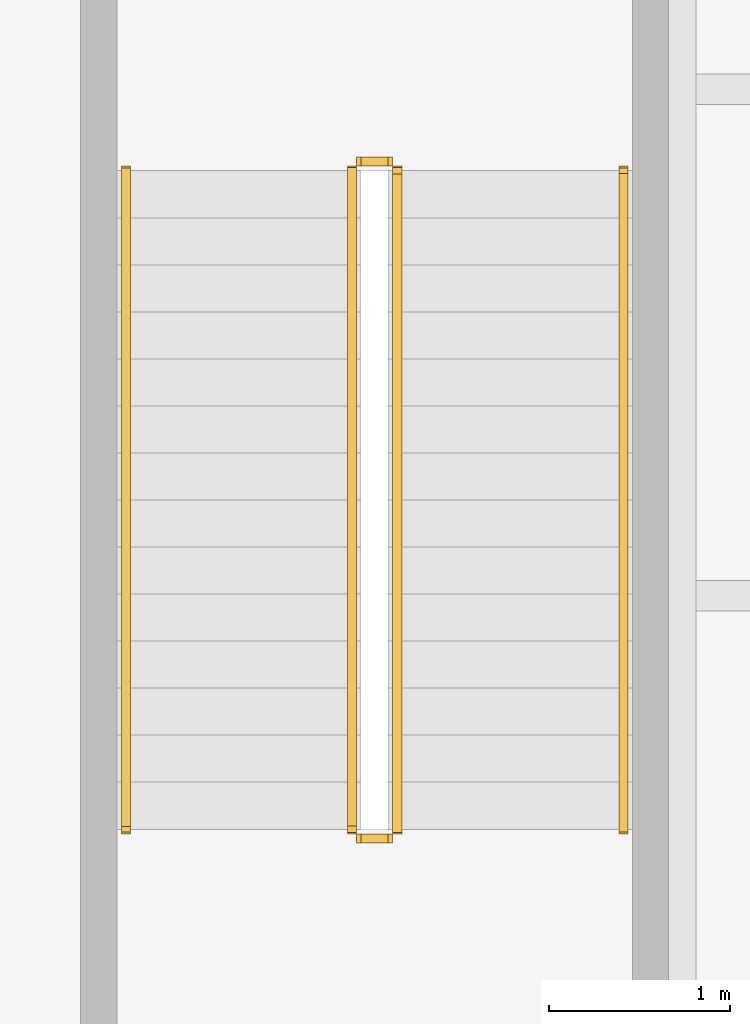
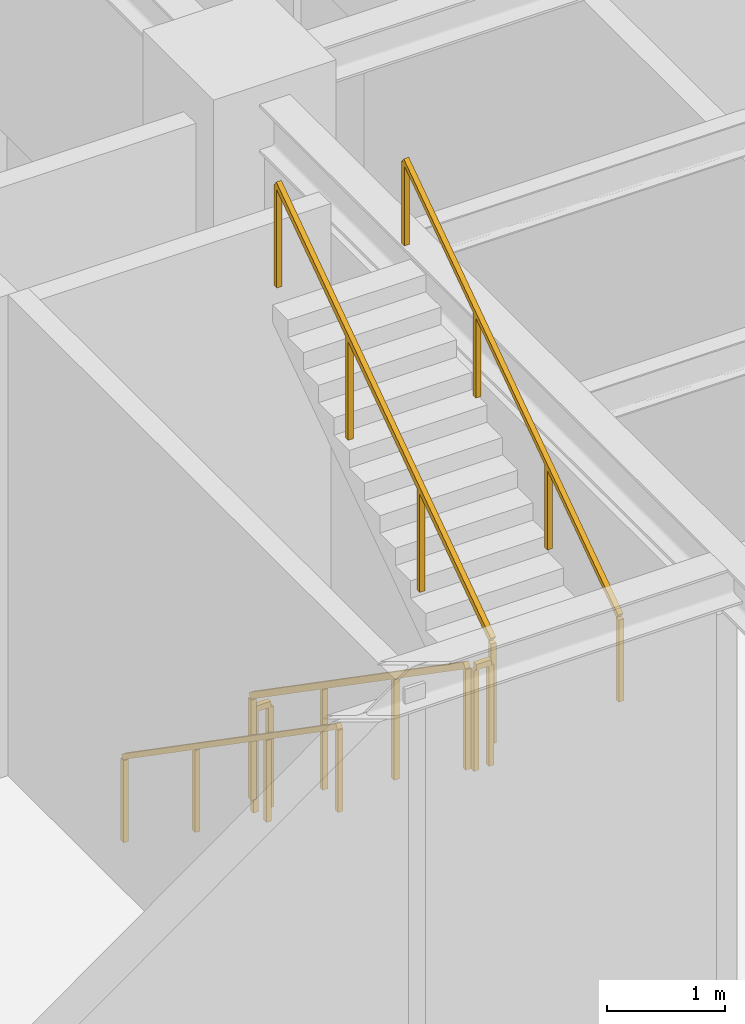
# One storey, part 31 of 36: 6 railings.
"""IFC4 building model written with IfcOpenShell, lengths in metres."""

from ifc_helpers import new_model, si_unit, direction, frame, origin, origin_2d, place, context, subcontext, project, spatial, rectangle, extrude, material, type_object, element, save


model = new_model("IFC4")

# Units and contexts
model_context = context("Model", 3, precision=1e-05, world=origin(), true_north=direction((0.0, 1.0)))
body_context = subcontext(model_context, "Body", "Model", "MODEL_VIEW")
ifc_project = project(units=[si_unit("LENGTHUNIT", "METRE"), si_unit("AREAUNIT", "SQUARE_METRE"), si_unit("VOLUMEUNIT", "CUBIC_METRE"), si_unit("PLANEANGLEUNIT", "RADIAN"), si_unit("MASSUNIT", "GRAM", prefix="KILO")], contexts=[model_context])

# Site, building, storey
site_placement = place(None, origin())
site = spatial("IfcSite", under=ifc_project, at=site_placement, CompositionType="ELEMENT")
building_placement = place(site_placement, origin())
building = spatial("IfcBuilding", under=site, at=building_placement, Name="Khepri Terraces", CompositionType="ELEMENT")
storey_placement = place(building_placement, frame((0.0, 0.0, 16.800048828125)))
storey = spatial("IfcBuildingStorey", under=building, at=storey_placement, Name="L03", CompositionType="ELEMENT", Elevation=16.800048828125)

# Railings
ifc_material = material(Name="Stainless steel 316", Category="steel")
railing_type_1 = type_object("IfcRailingType", Name="RL-POD-GUARD", PredefinedType="GUARDRAIL", material=ifc_material)
railing_1_placement = place(storey_placement, frame((23.449951171875, -20.050048828125, 0.179931640625)))
element("IfcRailing", 1, at=railing_1_placement, inside=storey, type_object=railing_type_1, Name="L03 PS-3 stair guard 1", PredefinedType="GUARDRAIL", context=body_context, shape_type="SweptSolid", body=[
    extrude(rectangle(XDim=0.050048828125, YDim=0.06005859375, at=origin_2d()), frame((0.0, 0.0, 1.070068359375), z_axis=(0.0, -0.822182265111, 0.569224316888), x_axis=(1.0, 0.0, 0.0)), (0.0, 0.0, 1.0), 4.427001953125),
    extrude(rectangle(XDim=0.050048828125, YDim=0.050048828125, at=origin_2d()), origin(), (0.0, 0.0, 1.0), 1.0400390625),
    extrude(rectangle(XDim=0.050048828125, YDim=0.050048828125, at=origin_2d()), frame((0.0, -1.21337890625, 0.840087890625)), (0.0, 0.0, 1.0), 1.0400390625),
    extrude(rectangle(XDim=0.050048828125, YDim=0.050048828125, at=origin_2d()), frame((0.0, -2.426513671875, 1.679931640625)), (0.0, 0.0, 1.0), 1.0400390625),
    extrude(rectangle(XDim=0.050048828125, YDim=0.050048828125, at=origin_2d()), frame((0.0, -3.639892578125, 2.52001953125)), (0.0, 0.0, 1.0), 1.0400390625),
])
railing_2_placement = place(storey_placement, frame((23.5, -23.739990234375, 2.699951171875)))
element("IfcRailing", 2, at=railing_2_placement, inside=storey, type_object=railing_type_1, Name="L03 PS-3 stair guard 2", PredefinedType="GUARDRAIL", context=body_context, shape_type="SweptSolid", body=[
    extrude(rectangle(XDim=0.050048828125, YDim=0.06005859375, at=origin_2d()), frame((0.0, 0.0, 1.070068359375), z_axis=(1.0, 0.0, 0.0), x_axis=(0.0, 1.0, 0.0)), (0.0, 0.0, 1.0), 0.14990234375),
    extrude(rectangle(XDim=0.050048828125, YDim=0.050048828125, at=origin_2d()), origin(), (0.0, 0.0, 1.0), 1.0400390625),
    extrude(rectangle(XDim=0.050048828125, YDim=0.050048828125, at=origin_2d()), frame((0.14990234375, 0.0, 0.0)), (0.0, 0.0, 1.0), 1.0400390625),
])
railing_3_placement = place(storey_placement, frame((23.699951171875, -23.68994140625, 2.8798828125)))
element("IfcRailing", 3, at=railing_3_placement, inside=storey, type_object=railing_type_1, Name="L03 PS-3 stair guard 3", PredefinedType="GUARDRAIL", context=body_context, shape_type="SweptSolid", body=[
    extrude(rectangle(XDim=0.050048828125, YDim=0.06005859375, at=origin_2d()), frame((0.0, 0.0, 1.070068359375), z_axis=(0.0, 0.822182265111, 0.569224316888), x_axis=(-1.0, 0.0, 0.0)), (0.0, 0.0, 1.0), 4.427001953125),
    extrude(rectangle(XDim=0.050048828125, YDim=0.050048828125, at=origin_2d()), origin(), (0.0, 0.0, 1.0), 1.0400390625),
    extrude(rectangle(XDim=0.050048828125, YDim=0.050048828125, at=origin_2d()), frame((0.0, 1.21337890625, 0.840087890625)), (0.0, 0.0, 1.0), 1.0400390625),
    extrude(rectangle(XDim=0.050048828125, YDim=0.050048828125, at=origin_2d()), frame((0.0, 2.426513671875, 1.679931640625)), (0.0, 0.0, 1.0), 1.0400390625),
    extrude(rectangle(XDim=0.050048828125, YDim=0.050048828125, at=origin_2d()), frame((0.0, 3.639892578125, 2.52001953125)), (0.0, 0.0, 1.0), 1.0400390625),
])
railing_4_placement = place(storey_placement, frame((23.5, -20.0, 0.0)))
element("IfcRailing", 4, at=railing_4_placement, inside=storey, type_object=railing_type_1, Name="L03 PS-3 stair guard 4", PredefinedType="GUARDRAIL", context=body_context, shape_type="SweptSolid", body=[
    extrude(rectangle(XDim=0.050048828125, YDim=0.06005859375, at=origin_2d()), frame((0.0, 0.0, 1.070068359375), z_axis=(1.0, 0.0, 0.0), x_axis=(0.0, 1.0, 0.0)), (0.0, 0.0, 1.0), 0.14990234375),
    extrude(rectangle(XDim=0.050048828125, YDim=0.050048828125, at=origin_2d()), origin(), (0.0, 0.0, 1.0), 1.0400390625),
    extrude(rectangle(XDim=0.050048828125, YDim=0.050048828125, at=origin_2d()), frame((0.14990234375, 0.0, 0.0)), (0.0, 0.0, 1.0), 1.0400390625),
])
railing_type_2 = type_object("IfcRailingType", Name="RL-POD-HANDRAIL", PredefinedType="HANDRAIL", material=ifc_material)
railing_5_placement = place(storey_placement, frame((22.199951171875, -20.050048828125, 0.179931640625)))
element("IfcRailing", 5, at=railing_5_placement, inside=storey, type_object=railing_type_2, Name="L03 PS-3 stair handrail 1", PredefinedType="HANDRAIL", context=body_context, shape_type="SweptSolid", body=[
    extrude(rectangle(XDim=0.050048828125, YDim=0.050048828125, at=origin_2d()), frame((0.0, 0.0, 0.875), z_axis=(0.0, -0.822182265111, 0.569224316888), x_axis=(1.0, 0.0, 0.0)), (0.0, 0.0, 1.0), 4.427001953125),
    extrude(rectangle(XDim=0.050048828125, YDim=0.050048828125, at=origin_2d()), origin(), (0.0, 0.0, 1.0), 0.849853515625),
    extrude(rectangle(XDim=0.050048828125, YDim=0.050048828125, at=origin_2d()), frame((0.0, -1.21337890625, 0.840087890625)), (0.0, 0.0, 1.0), 0.849853515625),
    extrude(rectangle(XDim=0.050048828125, YDim=0.050048828125, at=origin_2d()), frame((0.0, -2.426513671875, 1.679931640625)), (0.0, 0.0, 1.0), 0.849853515625),
    extrude(rectangle(XDim=0.050048828125, YDim=0.050048828125, at=origin_2d()), frame((0.0, -3.639892578125, 2.52001953125)), (0.0, 0.0, 1.0), 0.849853515625),
])
railing_6_placement = place(storey_placement, frame((24.949951171875, -23.68994140625, 2.8798828125)))
element("IfcRailing", 6, at=railing_6_placement, inside=storey, type_object=railing_type_2, Name="L03 PS-3 stair handrail 2", PredefinedType="HANDRAIL", context=body_context, shape_type="SweptSolid", body=[
    extrude(rectangle(XDim=0.050048828125, YDim=0.050048828125, at=origin_2d()), frame((0.0, 0.0, 0.875), z_axis=(0.0, 0.822182265111, 0.569224316888), x_axis=(-1.0, 0.0, 0.0)), (0.0, 0.0, 1.0), 4.427001953125),
    extrude(rectangle(XDim=0.050048828125, YDim=0.050048828125, at=origin_2d()), origin(), (0.0, 0.0, 1.0), 0.849853515625),
    extrude(rectangle(XDim=0.050048828125, YDim=0.050048828125, at=origin_2d()), frame((0.0, 1.21337890625, 0.840087890625)), (0.0, 0.0, 1.0), 0.849853515625),
    extrude(rectangle(XDim=0.050048828125, YDim=0.050048828125, at=origin_2d()), frame((0.0, 2.426513671875, 1.679931640625)), (0.0, 0.0, 1.0), 0.849853515625),
    extrude(rectangle(XDim=0.050048828125, YDim=0.050048828125, at=origin_2d()), frame((0.0, 3.639892578125, 2.52001953125)), (0.0, 0.0, 1.0), 0.849853515625),
])

save(model, "model.ifc")
